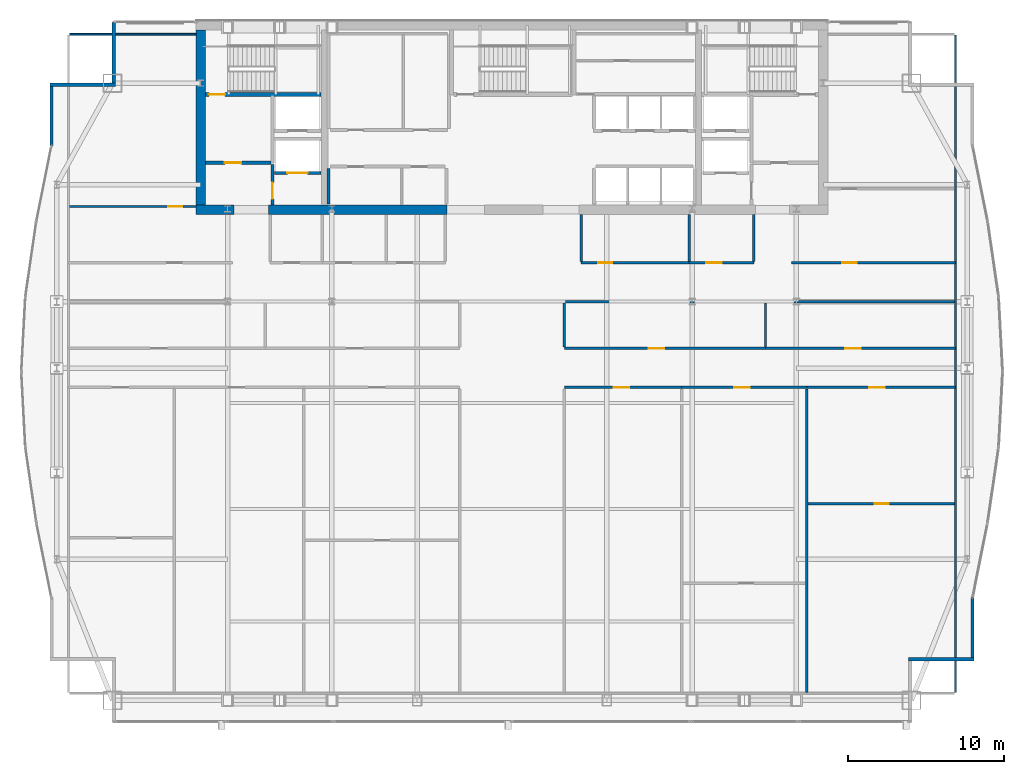
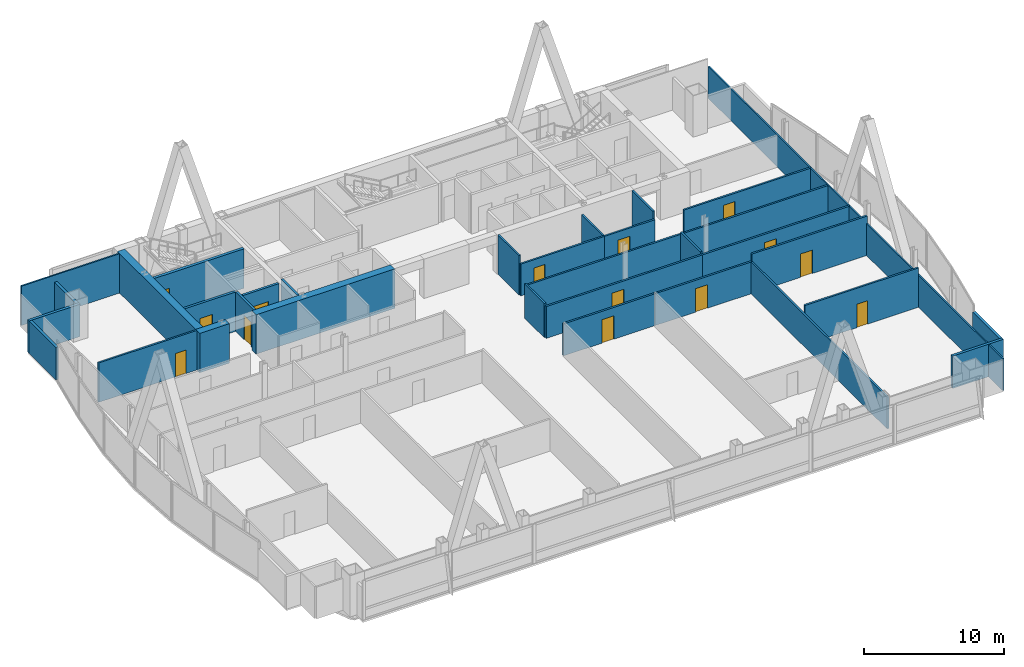
# One storey, part 28 of 32: 32 walls, 14 doors, 14 openings.
"""IFC4 building model written with IfcOpenShell, lengths in metres."""

from ifc_helpers import new_model, si_unit, direction, frame, frame_2d, origin, place, context, subcontext, project, spatial, rectangle, extrude, material, layer, layer_set, type_object, element, fill, save


model = new_model("IFC4")

# Units and contexts
model_context = context("Model", 3, precision=1e-05, world=origin(), true_north=direction((0.0, 1.0)))
body_context = subcontext(model_context, "Body", "Model", "MODEL_VIEW")
ifc_project = project(units=[si_unit("LENGTHUNIT", "METRE"), si_unit("AREAUNIT", "SQUARE_METRE"), si_unit("VOLUMEUNIT", "CUBIC_METRE"), si_unit("PLANEANGLEUNIT", "RADIAN"), si_unit("MASSUNIT", "GRAM", prefix="KILO")], contexts=[model_context])

# Site, building, storey
site_placement = place(None, origin())
site = spatial("IfcSite", under=ifc_project, at=site_placement, CompositionType="ELEMENT")
building_placement = place(site_placement, origin())
building = spatial("IfcBuilding", under=site, at=building_placement, Name="Khoronbel Lancet Exchange", CompositionType="ELEMENT")
storey_placement = place(building_placement, frame((0.0, 0.0, 221.0)))
storey = spatial("IfcBuildingStorey", under=building, at=storey_placement, Name="L56", CompositionType="ELEMENT", Elevation=221.0)

# Walls
ifc_material_1 = material(Name="Concrete C60/75", Category="concrete")
ifc_layer_1 = layer(ifc_material_1, 0.60009765625, Name="Concrete C60/75")
ifc_layer_set_1 = layer_set([ifc_layer_1], Name="Concrete C60/75")
wall_type_1 = type_object("IfcWallType", Name="WL-CW3", PredefinedType="SHEAR", material=ifc_layer_set_1)
wall_1_placement = place(storey_placement, frame((16.5, 41.89990234375, 0.0), z_axis=(0.0, 0.0, 1.0), x_axis=(0.0, 1.0, 0.0)))
element("IfcWall", 1, at=wall_1_placement, inside=storey, type_object=wall_type_1, Name="Level L56 rear core west shear wall", PredefinedType="SHEAR", context=body_context, shape_type="SweptSolid", body=[
    extrude(rectangle(XDim=11.2001953125, YDim=0.60009765625, at=frame_2d((5.60009765625, 0.0))), origin(), (0.0, 0.0, 1.0), 3.43994140625),
])
wall_2_placement = place(storey_placement, frame((18.64990234375, 41.60009765625, 0.0), z_axis=(0.0, 0.0, 1.0), x_axis=(-1.0, 0.0, 0.0)))
element("IfcWall", 2, at=wall_2_placement, inside=storey, type_object=wall_type_1, Name="Level L56 rear core south shear wall pier P1", PredefinedType="SHEAR", context=body_context, shape_type="SweptSolid", body=[
    extrude(rectangle(XDim=2.449951171875, YDim=0.60009765625, at=frame_2d((1.22509765625, 0.0))), origin(), (0.0, 0.0, 1.0), 3.43994140625),
])
wall_3_placement = place(storey_placement, frame((32.300048828125, 41.60009765625, 0.0), z_axis=(0.0, 0.0, 1.0), x_axis=(-1.0, 0.0, 0.0)))
element("IfcWall", 3, at=wall_3_placement, inside=storey, type_object=wall_type_1, Name="Level L56 rear core south shear wall pier P2", PredefinedType="SHEAR", context=body_context, shape_type="SweptSolid", body=[
    extrude(rectangle(XDim=11.449951171875, YDim=0.60009765625, at=frame_2d((5.72509765625, 0.0))), origin(), (0.0, 0.0, 1.0), 3.43994140625),
])
ifc_material_2 = material(Name="Precast concrete C40/50", Category="concrete")
ifc_layer_2 = layer(ifc_material_2, 0.25, Name="Precast concrete C40/50")
ifc_layer_set_2 = layer_set([ifc_layer_2], Name="Precast concrete C40/50")
wall_type_2 = type_object("IfcWallType", Name="WL-EXT250", PredefinedType="SOLIDWALL", material=ifc_layer_set_2)
wall_4_placement = place(storey_placement, frame((6.93994140625, 45.671142578125, 0.0), z_axis=(0.0, 0.0, 1.0), x_axis=(0.0, 1.0, 0.0)))
element("IfcWall", 4, at=wall_4_placement, inside=storey, type_object=wall_type_2, Name="Level L56 notched-corner limestone pier 10", PredefinedType="SOLIDWALL", context=body_context, shape_type="SweptSolid", body=[
    extrude(rectangle(XDim=3.828857421875, YDim=0.219970703125, at=frame_2d((1.91455078125, 0.0))), origin(), (0.0, 0.0, 1.0), 2.830078125),
])
wall_5_placement = place(storey_placement, frame((6.830078125, 49.610107421875, 0.0), z_axis=(0.0, 0.0, 1.0), x_axis=(1.0, 0.0, 0.0)))
element("IfcWall", 5, at=wall_5_placement, inside=storey, type_object=wall_type_2, Name="Level L56 notched-corner limestone pier 11", PredefinedType="SOLIDWALL", context=body_context, shape_type="SweptSolid", body=[
    extrude(rectangle(XDim=4.219970703125, YDim=0.219970703125, at=frame_2d((2.10986328125, 0.0))), origin(), (0.0, 0.0, 1.0), 2.830078125),
])
wall_6_placement = place(storey_placement, frame((10.93994140625, 49.719970703125, 0.0), z_axis=(0.0, 0.0, 1.0), x_axis=(0.0, 1.0, 0.0)))
element("IfcWall", 6, at=wall_6_placement, inside=storey, type_object=wall_type_2, Name="Level L56 notched-corner limestone pier 12", PredefinedType="SOLIDWALL", context=body_context, shape_type="SweptSolid", body=[
    extrude(rectangle(XDim=3.909912109375, YDim=0.219970703125, at=frame_2d((1.955078125, 0.0))), origin(), (0.0, 0.0, 1.0), 2.830078125),
])
wall_7_placement = place(storey_placement, frame((65.9599609375, 16.72900390625, 0.0), z_axis=(0.0, 0.0, 1.0), x_axis=(0.0, -1.0, 0.0)))
element("IfcWall", 7, at=wall_7_placement, inside=storey, type_object=wall_type_2, Name="Level L56 notched-corner limestone pier 23", PredefinedType="SOLIDWALL", context=body_context, shape_type="SweptSolid", body=[
    extrude(rectangle(XDim=3.8291015625, YDim=0.219970703125, at=frame_2d((1.91455078125, 0.0))), origin(), (0.0, 0.0, 1.0), 2.830078125),
])
wall_8_placement = place(storey_placement, frame((66.070068359375, 12.7900390625, 0.0), z_axis=(0.0, 0.0, 1.0), x_axis=(-1.0, 0.0, 0.0)))
element("IfcWall", 8, at=wall_8_placement, inside=storey, type_object=wall_type_2, Name="Level L56 notched-corner limestone pier 24", PredefinedType="SOLIDWALL", context=body_context, shape_type="SweptSolid", body=[
    extrude(rectangle(XDim=4.219970703125, YDim=0.219970703125, at=frame_2d((2.10986328125, 0.0))), origin(), (0.0, 0.0, 1.0), 2.830078125),
])
ifc_material_3 = material(Name="Acoustic Metal-Stud & Mineral-Wool Gypsum Partition 120 mm", Category="gypsum")
ifc_layer_3 = layer(ifc_material_3, 0.1201171875, Name="Acoustic Metal-Stud & Mineral-Wool Gypsum Partition 120 mm")
ifc_layer_set_3 = layer_set([ifc_layer_3], Name="Acoustic Metal-Stud & Mineral-Wool Gypsum Partition 120 mm")
wall_type_3 = type_object("IfcWallType", Name="WL-PRT120", PredefinedType="PARTITIONING", material=ifc_layer_set_3)
wall_9_placement = place(storey_placement, frame((40.8798828125, 38.280029296875, 0.0), z_axis=(0.0, 0.0, 1.0), x_axis=(0.0, 1.0, 0.0)))
element("IfcWall", 9, at=wall_9_placement, inside=storey, type_object=wall_type_3, Name="Level L56 interior partition PW-NP-0", PredefinedType="PARTITIONING", context=body_context, shape_type="SweptSolid", body=[
    extrude(rectangle(XDim=3.02001953125, YDim=0.14990234375, at=frame_2d((1.510009765625, 0.0))), origin(), (0.0, 0.0, 1.0), 3.43994140625),
])
wall_10_placement = place(storey_placement, frame((47.800048828125, 38.280029296875, 0.0), z_axis=(0.0, 0.0, 1.0), x_axis=(0.0, 1.0, 0.0)))
element("IfcWall", 10, at=wall_10_placement, inside=storey, type_object=wall_type_3, Name="Level L56 interior partition PW-NP-M", PredefinedType="PARTITIONING", context=body_context, shape_type="SweptSolid", body=[
    extrude(rectangle(XDim=3.02001953125, YDim=0.14990234375, at=frame_2d((1.510009765625, 0.0))), origin(), (0.0, 0.0, 1.0), 2.780029296875),
])
wall_11_placement = place(storey_placement, frame((51.949951171875, 38.280029296875, 0.0), z_axis=(0.0, 0.0, 1.0), x_axis=(0.0, 1.0, 0.0)))
element("IfcWall", 11, at=wall_11_placement, inside=storey, type_object=wall_type_3, Name="Level L56 interior partition PW-NP-1", PredefinedType="PARTITIONING", context=body_context, shape_type="SweptSolid", body=[
    extrude(rectangle(XDim=3.02001953125, YDim=0.14990234375, at=frame_2d((1.510009765625, 0.0))), origin(), (0.0, 0.0, 1.0), 3.43994140625),
])

# Wall, opening, door
wall_12_placement = place(storey_placement, frame((8.094970703125, 41.800048828125, 0.0), z_axis=(0.0, 0.0, 1.0), x_axis=(1.0, 0.0, 0.0)))
wall_12 = element("IfcWall", 12, at=wall_12_placement, inside=storey, type_object=wall_type_3, Name="Level L56 interior partition PW-NW-H", PredefinedType="PARTITIONING", context=body_context, shape_type="SweptSolid", body=[
    extrude(rectangle(XDim=8.10498046875, YDim=0.14990234375, at=frame_2d((4.052490234375, 0.0))), origin(), (0.0, 0.0, 1.0), 3.43994140625),
])
opening_1_placement = place(wall_12_placement, frame((6.320068359375, 0.0, 0.0)))
opening_1 = element("IfcOpeningElement", 13, at=opening_1_placement, cuts=wall_12, Name="Opening D5", PredefinedType="OPENING", context=body_context, shape_type="SweptSolid", body=[
    extrude(rectangle(XDim=0.89990234375, YDim=2.050048828125, at=frame_2d((0.449951171875, 1.02490234375))), frame((0.0, 0.0849609375, 0.0), z_axis=(0.0, -1.0, 0.0), x_axis=(1.0, 0.0, 0.0)), (0.0, 0.0, 1.0), 0.169921875),
])
ifc_material_4 = material(Name="Acoustic Timber Pantry & Support Door", Category="wood")
door_type_1 = type_object("IfcDoorType", Name="DR-D5", OperationType="NOTDEFINED", PredefinedType="DOOR", material=ifc_material_4)
door_1_placement = place(opening_1_placement, origin())
door_1 = element("IfcDoor", 14, at=door_1_placement, inside=storey, type_object=door_type_1, Name="NW north room door L56-1", OperationType="SINGLE_SWING_RIGHT", OverallHeight=2.050048828125, OverallWidth=0.89990234375, PredefinedType="DOOR", context=body_context, shape_type="SweptSolid", body=[
    extrude(rectangle(XDim=0.89990234375, YDim=2.050048828125, at=frame_2d((0.449951171875, 1.02490234375))), frame((0.0, 0.02490234375, 0.0), z_axis=(0.0, -1.0, 0.0), x_axis=(1.0, 0.0, 0.0)), (0.0, 0.0, 1.0), 0.050048828125),
])
fill(opening_1, door_1)

wall_13_placement = place(storey_placement, frame((55.42333984375, 22.751953125, 0.0), z_axis=(0.0, 0.0, 1.0), x_axis=(1.0, 0.0, 0.0)))
wall_13 = element("IfcWall", 15, at=wall_13_placement, inside=storey, type_object=wall_type_3, Name="Level L56 interior partition PW-Z3SE-H3", PredefinedType="PARTITIONING", context=body_context, shape_type="SweptSolid", body=[
    extrude(rectangle(XDim=9.381591796875, YDim=0.14990234375, at=frame_2d((4.69091796875, 0.0))), origin(), (0.0, 0.0, 1.0), 3.43994140625),
])
opening_2_placement = place(wall_13_placement, frame((4.287109375, 0.0, 0.0)))
opening_2 = element("IfcOpeningElement", 16, at=opening_2_placement, cuts=wall_13, Name="Opening D5", PredefinedType="OPENING", context=body_context, shape_type="SweptSolid", body=[
    extrude(rectangle(XDim=0.89990234375, YDim=2.050048828125, at=frame_2d((0.449951171875, 1.02490234375))), frame((0.0, 0.0849609375, 0.0), z_axis=(0.0, -1.0, 0.0), x_axis=(1.0, 0.0, 0.0)), (0.0, 0.0, 1.0), 0.169921875),
])
door_2_placement = place(opening_2_placement, origin())
door_2 = element("IfcDoor", 17, at=door_2_placement, inside=storey, type_object=door_type_1, Name="Z3SE inner door 3 L56-1", OperationType="SINGLE_SWING_LEFT", OverallHeight=2.050048828125, OverallWidth=0.89990234375, PredefinedType="DOOR", context=body_context, shape_type="SweptSolid", body=[
    extrude(rectangle(XDim=0.89990234375, YDim=2.050048828125, at=frame_2d((0.449951171875, 1.02490234375))), frame((0.0, 0.02490234375, 0.0), z_axis=(0.0, -1.0, 0.0), x_axis=(1.0, 0.0, 0.0)), (0.0, 0.0, 1.0), 0.050048828125),
])
fill(opening_2, door_2)

# Walls
wall_14_placement = place(storey_placement, frame((64.8701171875, 10.6650390625, 0.0), z_axis=(0.0, 0.0, 1.0), x_axis=(0.0, 1.0, 0.0)))
element("IfcWall", 18, at=wall_14_placement, inside=storey, type_object=wall_type_3, Name="Level L56 interior partition PW-LIN-E", PredefinedType="PARTITIONING", context=body_context, shape_type="SweptSolid", body=[
    extrude(rectangle(XDim=42.10986328125, YDim=0.1201171875, at=frame_2d((21.054931640625, 0.0))), origin(), (0.0, 0.0, 1.0), 2.780029296875),
])
wall_15_placement = place(storey_placement, frame((8.094970703125, 52.840087890625, 0.0), z_axis=(0.0, 0.0, 1.0), x_axis=(1.0, 0.0, 0.0)))
element("IfcWall", 19, at=wall_15_placement, inside=storey, type_object=wall_type_3, Name="Level L56 interior partition PW-LIN-NW", PredefinedType="PARTITIONING", context=body_context, shape_type="SweptSolid", body=[
    extrude(rectangle(XDim=8.10498046875, YDim=0.1201171875, at=frame_2d((4.052490234375, 0.0))), origin(), (0.0, 0.0, 1.0), 3.43994140625),
])

# Wall, opening, door
ifc_material_5 = material(Name="Fire-Rated Twin-Stud Acoustic Gypsum Partition 150 mm", Category="gypsum")
ifc_layer_4 = layer(ifc_material_5, 0.14990234375, Name="Fire-Rated Twin-Stud Acoustic Gypsum Partition 150 mm")
ifc_layer_set_4 = layer_set([ifc_layer_4], Name="Fire-Rated Twin-Stud Acoustic Gypsum Partition 150 mm")
wall_type_4 = type_object("IfcWallType", Name="WL-PRT150C", PredefinedType="PARTITIONING", material=ifc_layer_set_4)
wall_16_placement = place(storey_placement, frame((40.8798828125, 38.199951171875, 0.0), z_axis=(0.0, 0.0, 1.0), x_axis=(1.0, 0.0, 0.0)))
wall_16 = element("IfcWall", 20, at=wall_16_placement, inside=storey, type_object=wall_type_4, Name="Level L56 interior partition PW-NP-S1", PredefinedType="PARTITIONING", context=body_context, shape_type="SweptSolid", body=[
    extrude(rectangle(XDim=6.920166015625, YDim=0.14990234375, at=frame_2d((3.4599609375, 0.0))), origin(), (0.0, 0.0, 1.0), 2.780029296875),
])
opening_3_placement = place(wall_16_placement, frame((1.10009765625, 0.0, 0.0)))
opening_3 = element("IfcOpeningElement", 21, at=opening_3_placement, cuts=wall_16, Name="Opening D5", PredefinedType="OPENING", context=body_context, shape_type="SweptSolid", body=[
    extrude(rectangle(XDim=0.89990234375, YDim=2.050048828125, at=frame_2d((0.449951171875, 1.02490234375))), frame((0.0, 0.0849609375, 0.0), z_axis=(0.0, -1.0, 0.0), x_axis=(1.0, 0.0, 0.0)), (0.0, 0.0, 1.0), 0.169921875),
])
door_3_placement = place(opening_3_placement, origin())
door_3 = element("IfcDoor", 22, at=door_3_placement, inside=storey, type_object=door_type_1, Name="Floor refreshment pantry door L56-1", OperationType="SINGLE_SWING_RIGHT", OverallHeight=2.050048828125, OverallWidth=0.89990234375, PredefinedType="DOOR", context=body_context, shape_type="SweptSolid", body=[
    extrude(rectangle(XDim=0.89990234375, YDim=2.050048828125, at=frame_2d((0.449951171875, 1.02490234375))), frame((0.0, 0.02490234375, 0.0), z_axis=(0.0, -1.0, 0.0), x_axis=(1.0, 0.0, 0.0)), (0.0, 0.0, 1.0), 0.050048828125),
])
fill(opening_3, door_3)

wall_17_placement = place(storey_placement, frame((47.800048828125, 38.199951171875, 0.0), z_axis=(0.0, 0.0, 1.0), x_axis=(1.0, 0.0, 0.0)))
wall_17 = element("IfcWall", 23, at=wall_17_placement, inside=storey, type_object=wall_type_4, Name="Level L56 interior partition PW-NP-S2", PredefinedType="PARTITIONING", context=body_context, shape_type="SweptSolid", body=[
    extrude(rectangle(XDim=4.14990234375, YDim=0.14990234375, at=frame_2d((2.074951171875, 0.0))), origin(), (0.0, 0.0, 1.0), 2.780029296875),
])
opening_4_placement = place(wall_17_placement, frame((1.10009765625, 0.0, 0.0)))
opening_4 = element("IfcOpeningElement", 24, at=opening_4_placement, cuts=wall_17, Name="Opening D2", PredefinedType="OPENING", context=body_context, shape_type="SweptSolid", body=[
    extrude(rectangle(XDim=1.0, YDim=2.050048828125, at=frame_2d((0.5, 1.02490234375))), frame((0.0, 0.0849609375, 0.0), z_axis=(0.0, -1.0, 0.0), x_axis=(1.0, 0.0, 0.0)), (0.0, 0.0, 1.0), 0.169921875),
])
ifc_material_6 = material(Name="Acoustic Veneered Timber & Bronze Frame Door", Category="wood")
door_type_2 = type_object("IfcDoorType", Name="DR-D2", OperationType="NOTDEFINED", PredefinedType="DOOR", material=ifc_material_6)
door_4_placement = place(opening_4_placement, origin())
door_4 = element("IfcDoor", 25, at=door_4_placement, inside=storey, type_object=door_type_2, Name="Floor store door L56-1", OperationType="SINGLE_SWING_LEFT", OverallHeight=2.050048828125, OverallWidth=1.0, PredefinedType="DOOR", context=body_context, shape_type="SweptSolid", body=[
    extrude(rectangle(XDim=1.0, YDim=2.050048828125, at=frame_2d((0.5, 1.02490234375))), frame((0.0, 0.02490234375, 0.0), z_axis=(0.0, -1.0, 0.0), x_axis=(1.0, 0.0, 0.0)), (0.0, 0.0, 1.0), 0.050048828125),
])
fill(opening_4, door_4)

wall_18_placement = place(storey_placement, frame((54.35009765625, 38.199951171875, 0.0), z_axis=(0.0, 0.0, 1.0), x_axis=(1.0, 0.0, 0.0)))
wall_18 = element("IfcWall", 26, at=wall_18_placement, inside=storey, type_object=wall_type_4, Name="Level L56 interior partition PW-NE-S", PredefinedType="PARTITIONING", context=body_context, shape_type="SweptSolid", body=[
    extrude(rectangle(XDim=10.52001953125, YDim=0.14990234375, at=frame_2d((5.260009765625, 0.0))), origin(), (0.0, 0.0, 1.0), 2.780029296875),
])
opening_5_placement = place(wall_18_placement, frame((3.25, 0.0, 0.0)))
opening_5 = element("IfcOpeningElement", 27, at=opening_5_placement, cuts=wall_18, Name="Opening D1", PredefinedType="OPENING", context=body_context, shape_type="SweptSolid", body=[
    extrude(rectangle(XDim=0.949951171875, YDim=2.050048828125, at=frame_2d((0.47509765625, 1.02490234375))), frame((0.0, 0.0849609375, 0.0), z_axis=(0.0, -1.0, 0.0), x_axis=(1.0, 0.0, 0.0)), (0.0, 0.0, 1.0), 0.169921875),
])
door_type_3 = type_object("IfcDoorType", Name="DR-D1", OperationType="NOTDEFINED", PredefinedType="DOOR", material=ifc_material_6)
door_5_placement = place(opening_5_placement, origin())
door_5 = element("IfcDoor", 28, at=door_5_placement, inside=storey, type_object=door_type_3, Name="NE corner room door L56-1", OperationType="SINGLE_SWING_LEFT", OverallHeight=2.050048828125, OverallWidth=0.949951171875, PredefinedType="DOOR", context=body_context, shape_type="SweptSolid", body=[
    extrude(rectangle(XDim=0.949951171875, YDim=2.050048828125, at=frame_2d((0.47509765625, 1.02490234375))), frame((0.0, 0.02490234375, 0.0), z_axis=(0.0, -1.0, 0.0), x_axis=(1.0, 0.0, 0.0)), (0.0, 0.0, 1.0), 0.050048828125),
])
fill(opening_5, door_5)

# Walls
wall_19_placement = place(storey_placement, frame((39.800048828125, 32.784912109375, 0.0), z_axis=(0.0, 0.0, 1.0), x_axis=(0.0, 1.0, 0.0)))
element("IfcWall", 29, at=wall_19_placement, inside=storey, type_object=wall_type_4, Name="Level L56 interior partition PW-Z3-CE2", PredefinedType="PARTITIONING", context=body_context, shape_type="SweptSolid", body=[
    extrude(rectangle(XDim=2.835205078125, YDim=0.14990234375, at=frame_2d((1.41748046875, 0.0))), origin(), (0.0, 0.0, 1.0), 2.97998046875),
])
wall_20_placement = place(storey_placement, frame((39.8798828125, 35.699951171875, 0.0), z_axis=(0.0, 0.0, 1.0), x_axis=(1.0, 0.0, 0.0)))
element("IfcWall", 30, at=wall_20_placement, inside=storey, type_object=wall_type_4, Name="Level L56 interior partition PW-Z3-EN", PredefinedType="PARTITIONING", context=body_context, shape_type="SweptSolid", body=[
    extrude(rectangle(XDim=24.925048828125, YDim=0.14990234375, at=frame_2d((12.46240234375, 0.0))), origin(), (0.0, 0.0, 1.0), 2.780029296875),
])
wall_21_placement = place(storey_placement, frame((55.343505859375, 10.6650390625, 0.0), z_axis=(0.0, 0.0, 1.0), x_axis=(0.0, 1.0, 0.0)))
element("IfcWall", 31, at=wall_21_placement, inside=storey, type_object=wall_type_4, Name="Level L56 interior partition PW-Z3SE-V2", PredefinedType="PARTITIONING", context=body_context, shape_type="SweptSolid", body=[
    extrude(rectangle(XDim=19.449951171875, YDim=0.14990234375, at=frame_2d((9.72509765625, 0.0))), origin(), (0.0, 0.0, 1.0), 2.780029296875),
])
wall_22_placement = place(storey_placement, frame((52.693115234375, 32.784912109375, 0.0), z_axis=(0.0, 0.0, 1.0), x_axis=(0.0, 1.0, 0.0)))
element("IfcWall", 32, at=wall_22_placement, inside=storey, type_object=wall_type_4, Name="Level L56 interior partition PW-Z3NE-V1", PredefinedType="PARTITIONING", context=body_context, shape_type="SweptSolid", body=[
    extrude(rectangle(XDim=2.835205078125, YDim=0.14990234375, at=frame_2d((1.41748046875, 0.0))), origin(), (0.0, 0.0, 1.0), 2.97998046875),
])

# Wall, opening, door
ifc_material_7 = material(Name="Fire-Rated Twin-Stud Acoustic Gypsum Partition 160 mm", Category="gypsum")
ifc_layer_5 = layer(ifc_material_7, 0.159912109375, Name="Fire-Rated Twin-Stud Acoustic Gypsum Partition 160 mm")
ifc_layer_set_5 = layer_set([ifc_layer_5], Name="Fire-Rated Twin-Stud Acoustic Gypsum Partition 160 mm")
wall_type_5 = type_object("IfcWallType", Name="WL-PRT160C", PredefinedType="PARTITIONING", material=ifc_layer_set_5)
wall_23_placement = place(storey_placement, frame((39.800048828125, 30.199951171875, 0.0), z_axis=(0.0, 0.0, 1.0), x_axis=(1.0, 0.0, 0.0)))
wall_23 = element("IfcWall", 33, at=wall_23_placement, inside=storey, type_object=wall_type_5, Name="Level L56 interior partition PW-Z3SE-COR1", PredefinedType="PARTITIONING", context=body_context, shape_type="SweptSolid", body=[
    extrude(rectangle(XDim=7.52099609375, YDim=0.159912109375, at=frame_2d((3.760498046875, 0.0))), origin(), (0.0, 0.0, 1.0), 2.780029296875),
])
opening_6_placement = place(wall_23_placement, frame((3.15869140625, 0.0, 0.0)))
opening_6 = element("IfcOpeningElement", 34, at=opening_6_placement, cuts=wall_23, Name="Opening D2", PredefinedType="OPENING", context=body_context, shape_type="SweptSolid", body=[
    extrude(rectangle(XDim=1.0, YDim=2.050048828125, at=frame_2d((0.5, 1.02490234375))), frame((0.0, 0.08984375, 0.0), z_axis=(0.0, -1.0, 0.0), x_axis=(1.0, 0.0, 0.0)), (0.0, 0.0, 1.0), 0.179931640625),
])
door_6_placement = place(opening_6_placement, origin())
door_6 = element("IfcDoor", 35, at=door_6_placement, inside=storey, type_object=door_type_2, Name="Z3SE bay 1 door L56-1", OperationType="SINGLE_SWING_LEFT", OverallHeight=2.050048828125, OverallWidth=1.0, PredefinedType="DOOR", context=body_context, shape_type="SweptSolid", body=[
    extrude(rectangle(XDim=1.0, YDim=2.050048828125, at=frame_2d((0.5, 1.02490234375))), frame((0.0, 0.02490234375, 0.0), z_axis=(0.0, -1.0, 0.0), x_axis=(1.0, 0.0, 0.0)), (0.0, 0.0, 1.0), 0.050048828125),
])
fill(opening_6, door_6)

wall_24_placement = place(storey_placement, frame((47.321044921875, 30.199951171875, 0.0), z_axis=(0.0, 0.0, 1.0), x_axis=(1.0, 0.0, 0.0)))
wall_24 = element("IfcWall", 36, at=wall_24_placement, inside=storey, type_object=wall_type_5, Name="Level L56 interior partition PW-Z3SE-COR2", PredefinedType="PARTITIONING", context=body_context, shape_type="SweptSolid", body=[
    extrude(rectangle(XDim=8.0224609375, YDim=0.159912109375, at=frame_2d((4.01123046875, 0.0))), origin(), (0.0, 0.0, 1.0), 2.780029296875),
])
opening_7_placement = place(wall_24_placement, frame((3.369384765625, 0.0, 0.0)))
opening_7 = element("IfcOpeningElement", 37, at=opening_7_placement, cuts=wall_24, Name="Opening D2", PredefinedType="OPENING", context=body_context, shape_type="SweptSolid", body=[
    extrude(rectangle(XDim=1.0, YDim=2.050048828125, at=frame_2d((0.5, 1.02490234375))), frame((0.0, 0.08984375, 0.0), z_axis=(0.0, -1.0, 0.0), x_axis=(1.0, 0.0, 0.0)), (0.0, 0.0, 1.0), 0.179931640625),
])
door_7_placement = place(opening_7_placement, origin())
door_7 = element("IfcDoor", 38, at=door_7_placement, inside=storey, type_object=door_type_2, Name="Z3SE bay 2 door L56-1", OperationType="SINGLE_SWING_RIGHT", OverallHeight=2.050048828125, OverallWidth=1.0, PredefinedType="DOOR", context=body_context, shape_type="SweptSolid", body=[
    extrude(rectangle(XDim=1.0, YDim=2.050048828125, at=frame_2d((0.5, 1.02490234375))), frame((0.0, 0.02490234375, 0.0), z_axis=(0.0, -1.0, 0.0), x_axis=(1.0, 0.0, 0.0)), (0.0, 0.0, 1.0), 0.050048828125),
])
fill(opening_7, door_7)

wall_25_placement = place(storey_placement, frame((55.343505859375, 30.199951171875, 0.0), z_axis=(0.0, 0.0, 1.0), x_axis=(1.0, 0.0, 0.0)))
wall_25 = element("IfcWall", 39, at=wall_25_placement, inside=storey, type_object=wall_type_5, Name="Level L56 interior partition PW-Z3SE-COR3", PredefinedType="PARTITIONING", context=body_context, shape_type="SweptSolid", body=[
    extrude(rectangle(XDim=9.526611328125, YDim=0.159912109375, at=frame_2d((4.76318359375, 0.0))), origin(), (0.0, 0.0, 1.0), 3.43994140625),
])
opening_8_placement = place(wall_25_placement, frame((4.001220703125, 0.0, 0.0)))
opening_8 = element("IfcOpeningElement", 40, at=opening_8_placement, cuts=wall_25, Name="Opening D2", PredefinedType="OPENING", context=body_context, shape_type="SweptSolid", body=[
    extrude(rectangle(XDim=1.0, YDim=2.050048828125, at=frame_2d((0.5, 1.02490234375))), frame((0.0, 0.08984375, 0.0), z_axis=(0.0, -1.0, 0.0), x_axis=(1.0, 0.0, 0.0)), (0.0, 0.0, 1.0), 0.179931640625),
])
door_8_placement = place(opening_8_placement, origin())
door_8 = element("IfcDoor", 41, at=door_8_placement, inside=storey, type_object=door_type_2, Name="Z3SE bay 3 door L56-1", OperationType="SINGLE_SWING_RIGHT", OverallHeight=2.050048828125, OverallWidth=1.0, PredefinedType="DOOR", context=body_context, shape_type="SweptSolid", body=[
    extrude(rectangle(XDim=1.0, YDim=2.050048828125, at=frame_2d((0.5, 1.02490234375))), frame((0.0, 0.02490234375, 0.0), z_axis=(0.0, -1.0, 0.0), x_axis=(1.0, 0.0, 0.0)), (0.0, 0.0, 1.0), 0.050048828125),
])
fill(opening_8, door_8)

wall_26_placement = place(storey_placement, frame((39.800048828125, 32.699951171875, 0.0), z_axis=(0.0, 0.0, 1.0), x_axis=(1.0, 0.0, 0.0)))
wall_26 = element("IfcWall", 42, at=wall_26_placement, inside=storey, type_object=wall_type_5, Name="Level L56 interior partition PW-Z3NE-COR1", PredefinedType="PARTITIONING", context=body_context, shape_type="SweptSolid", body=[
    extrude(rectangle(XDim=12.89306640625, YDim=0.159912109375, at=frame_2d((6.446533203125, 0.0))), origin(), (0.0, 0.0, 1.0), 2.780029296875),
])
opening_9_placement = place(wall_26_placement, frame((5.4150390625, 0.0, 0.0)))
opening_9 = element("IfcOpeningElement", 43, at=opening_9_placement, cuts=wall_26, Name="Opening D2", PredefinedType="OPENING", context=body_context, shape_type="SweptSolid", body=[
    extrude(rectangle(XDim=1.0, YDim=2.050048828125, at=frame_2d((0.5, 1.02490234375))), frame((0.0, 0.08984375, 0.0), z_axis=(0.0, -1.0, 0.0), x_axis=(1.0, 0.0, 0.0)), (0.0, 0.0, 1.0), 0.179931640625),
])
door_9_placement = place(opening_9_placement, origin())
door_9 = element("IfcDoor", 44, at=door_9_placement, inside=storey, type_object=door_type_2, Name="Z3NE bay 1 door L56-1", OperationType="SINGLE_SWING_RIGHT", OverallHeight=2.050048828125, OverallWidth=1.0, PredefinedType="DOOR", context=body_context, shape_type="SweptSolid", body=[
    extrude(rectangle(XDim=1.0, YDim=2.050048828125, at=frame_2d((0.5, 1.02490234375))), frame((0.0, 0.02490234375, 0.0), z_axis=(0.0, -1.0, 0.0), x_axis=(1.0, 0.0, 0.0)), (0.0, 0.0, 1.0), 0.050048828125),
])
fill(opening_9, door_9)

wall_27_placement = place(storey_placement, frame((52.693115234375, 32.699951171875, 0.0), z_axis=(0.0, 0.0, 1.0), x_axis=(1.0, 0.0, 0.0)))
wall_27 = element("IfcWall", 45, at=wall_27_placement, inside=storey, type_object=wall_type_5, Name="Level L56 interior partition PW-Z3NE-COR2", PredefinedType="PARTITIONING", context=body_context, shape_type="SweptSolid", body=[
    extrude(rectangle(XDim=12.177001953125, YDim=0.159912109375, at=frame_2d((6.08837890625, 0.0))), origin(), (0.0, 0.0, 1.0), 2.780029296875),
])
opening_10_placement = place(wall_27_placement, frame((5.1142578125, 0.0, 0.0)))
opening_10 = element("IfcOpeningElement", 46, at=opening_10_placement, cuts=wall_27, Name="Opening D2", PredefinedType="OPENING", context=body_context, shape_type="SweptSolid", body=[
    extrude(rectangle(XDim=1.0, YDim=2.050048828125, at=frame_2d((0.5, 1.02490234375))), frame((0.0, 0.08984375, 0.0), z_axis=(0.0, -1.0, 0.0), x_axis=(1.0, 0.0, 0.0)), (0.0, 0.0, 1.0), 0.179931640625),
])
door_10_placement = place(opening_10_placement, origin())
door_10 = element("IfcDoor", 47, at=door_10_placement, inside=storey, type_object=door_type_2, Name="Z3NE bay 2 door L56-1", OperationType="SINGLE_SWING_LEFT", OverallHeight=2.050048828125, OverallWidth=1.0, PredefinedType="DOOR", context=body_context, shape_type="SweptSolid", body=[
    extrude(rectangle(XDim=1.0, YDim=2.050048828125, at=frame_2d((0.5, 1.02490234375))), frame((0.0, 0.02490234375, 0.0), z_axis=(0.0, -1.0, 0.0), x_axis=(1.0, 0.0, 0.0)), (0.0, 0.0, 1.0), 0.050048828125),
])
fill(opening_10, door_10)

ifc_material_8 = material(Name="Autoclaved Aerated Concrete Blockwork 200 mm", Category="masonry")
ifc_layer_6 = layer(ifc_material_8, 0.199951171875, Name="Autoclaved Aerated Concrete Blockwork 200 mm")
ifc_layer_set_6 = layer_set([ifc_layer_6], Name="Autoclaved Aerated Concrete Blockwork 200 mm")
wall_type_6 = type_object("IfcWallType", Name="WL-PRT200", PredefinedType="PARTITIONING", material=ifc_layer_set_6)
wall_28_placement = place(storey_placement, frame((24.2099609375, 43.949951171875, 0.0), z_axis=(0.0, 0.0, 1.0), x_axis=(-1.0, 0.0, 0.0)))
wall_28 = element("IfcWall", 48, at=wall_28_placement, inside=storey, type_object=wall_type_6, Name="Level L56 elevator hoistway landing front wall SVLW", PredefinedType="PARTITIONING", context=body_context, shape_type="SweptSolid", body=[
    extrude(rectangle(XDim=2.969970703125, YDim=0.199951171875, at=frame_2d((1.48486328125, 0.0))), origin(), (0.0, 0.0, 1.0), 3.43994140625),
])
opening_11_placement = place(wall_28_placement, frame((0.860107421875, 0.0, 0.0)))
opening_11 = element("IfcOpeningElement", 49, at=opening_11_placement, cuts=wall_28, Name="Opening LD-SVL1", PredefinedType="OPENING", context=body_context, shape_type="SweptSolid", body=[
    extrude(rectangle(XDim=1.300048828125, YDim=2.179931640625, at=frame_2d((0.64990234375, 1.08984375))), frame((0.0, 0.10986328125, 0.0), z_axis=(0.0, -1.0, 0.0), x_axis=(1.0, 0.0, 0.0)), (0.0, 0.0, 1.0), 0.219970703125),
])
ifc_material_9 = material(Name="Heavy-Duty Bi-Parting Goods Lift Landing Door", Category="steel")
door_type_4 = type_object("IfcDoorType", Name="DR-LD-SVL", OperationType="NOTDEFINED", PredefinedType="DOOR", material=ifc_material_9)
door_11_placement = place(opening_11_placement, origin())
door_11 = element("IfcDoor", 50, at=door_11_placement, inside=storey, type_object=door_type_4, Name="Elevator landing sliding door LD-SVL1 L56", OperationType="SLIDING_TO_LEFT", OverallHeight=2.179931640625, OverallWidth=1.300048828125, PredefinedType="DOOR", context=body_context, shape_type="SweptSolid", body=[
    extrude(rectangle(XDim=1.300048828125, YDim=2.179931640625, at=frame_2d((0.64990234375, 1.08984375))), frame((0.0, 0.02490234375, 0.0), z_axis=(0.0, -1.0, 0.0), x_axis=(1.0, 0.0, 0.0)), (0.0, 0.0, 1.0), 0.050048828125),
])
fill(opening_11, door_11)

wall_29_placement = place(storey_placement, frame((16.800048828125, 44.60009765625, 0.0), z_axis=(0.0, 0.0, 1.0), x_axis=(1.0, 0.0, 0.0)))
wall_29 = element("IfcWall", 51, at=wall_29_placement, inside=storey, type_object=wall_type_6, Name="Level L56 interior partition CW-FFLW-S", PredefinedType="PARTITIONING", context=body_context, shape_type="SweptSolid", body=[
    extrude(rectangle(XDim=4.199951171875, YDim=0.199951171875, at=frame_2d((2.10009765625, 0.0))), origin(), (0.0, 0.0, 1.0), 3.43994140625),
])
opening_12_placement = place(wall_29_placement, frame((1.25, 0.0, 0.0)))
opening_12 = element("IfcOpeningElement", 52, at=opening_12_placement, cuts=wall_29, Name="Opening FD1", PredefinedType="OPENING", context=body_context, shape_type="SweptSolid", body=[
    extrude(rectangle(XDim=1.050048828125, YDim=2.14990234375, at=frame_2d((0.52490234375, 1.074951171875))), frame((0.0, 0.10986328125, 0.0), z_axis=(0.0, -1.0, 0.0), x_axis=(1.0, 0.0, 0.0)), (0.0, 0.0, 1.0), 0.219970703125),
])
ifc_material_10 = material(Name="Fire-Rated Painted Steel Door Assembly", Category="steel")
door_type_5 = type_object("IfcDoorType", Name="DR-FD1", OperationType="NOTDEFINED", PredefinedType="DOOR", material=ifc_material_10)
door_12_placement = place(opening_12_placement, origin())
door_12 = element("IfcDoor", 53, at=door_12_placement, inside=storey, type_object=door_type_5, Name="West firefighting lobby FD90S door L56-1", OperationType="SINGLE_SWING_LEFT", OverallHeight=2.14990234375, OverallWidth=1.050048828125, PredefinedType="DOOR", context=body_context, shape_type="SweptSolid", body=[
    extrude(rectangle(XDim=1.050048828125, YDim=2.14990234375, at=frame_2d((0.52490234375, 1.074951171875))), frame((0.0, 0.02490234375, 0.0), z_axis=(0.0, -1.0, 0.0), x_axis=(1.0, 0.0, 0.0)), (0.0, 0.0, 1.0), 0.050048828125),
])
fill(opening_12, door_12)

wall_30_placement = place(storey_placement, frame((21.10009765625, 41.89990234375, 0.0), z_axis=(0.0, 0.0, 1.0), x_axis=(0.0, 1.0, 0.0)))
wall_30 = element("IfcWall", 54, at=wall_30_placement, inside=storey, type_object=wall_type_6, Name="Level L56 interior partition CW-SVLW-W", PredefinedType="PARTITIONING", context=body_context, shape_type="SweptSolid", body=[
    extrude(rectangle(XDim=2.59521484375, YDim=0.199951171875, at=frame_2d((1.297607421875, 0.0))), origin(), (0.0, 0.0, 1.0), 3.43994140625),
])
opening_13_placement = place(wall_30_placement, frame((0.3798828125, 0.0, 0.0)))
opening_13 = element("IfcOpeningElement", 55, at=opening_13_placement, cuts=wall_30, Name="Opening FD1", PredefinedType="OPENING", context=body_context, shape_type="SweptSolid", body=[
    extrude(rectangle(XDim=1.050048828125, YDim=2.14990234375, at=frame_2d((0.52490234375, 1.074951171875))), frame((0.0, 0.10986328125, 0.0), z_axis=(0.0, -1.0, 0.0), x_axis=(1.0, 0.0, 0.0)), (0.0, 0.0, 1.0), 0.219970703125),
])
door_13_placement = place(opening_13_placement, origin())
door_13 = element("IfcDoor", 56, at=door_13_placement, inside=storey, type_object=door_type_5, Name="West service lift lobby door L56-1", OperationType="SINGLE_SWING_RIGHT", OverallHeight=2.14990234375, OverallWidth=1.050048828125, PredefinedType="DOOR", context=body_context, shape_type="SweptSolid", body=[
    extrude(rectangle(XDim=1.050048828125, YDim=2.14990234375, at=frame_2d((0.52490234375, 1.074951171875))), frame((0.0, 0.02490234375, 0.0), z_axis=(0.0, -1.0, 0.0), x_axis=(1.0, 0.0, 0.0)), (0.0, 0.0, 1.0), 0.050048828125),
])
fill(opening_13, door_13)

# Wall
wall_31_placement = place(storey_placement, frame((24.699951171875, 41.949951171875, 0.0), z_axis=(0.0, 0.0, 1.0), x_axis=(0.0, 1.0, 0.0)))
element("IfcWall", 57, at=wall_31_placement, inside=storey, type_object=wall_type_6, Name="Level L56 interior partition CW-PM-RW", PredefinedType="PARTITIONING", context=body_context, shape_type="SweptSolid", body=[
    extrude(rectangle(XDim=2.295166015625, YDim=0.199951171875, at=frame_2d((1.1474609375, 0.0))), origin(), (0.0, 0.0, 1.0), 3.43994140625),
])

# Wall, opening, door
ifc_layer_7 = layer(ifc_material_1, 0.260009765625, Name="Concrete C60/75")
ifc_layer_set_7 = layer_set([ifc_layer_7], Name="Concrete C60/75")
wall_type_7 = type_object("IfcWallType", Name="WL-SW3", PredefinedType="SHEAR", material=ifc_layer_set_7)
wall_32_placement = place(storey_placement, frame((16.800048828125, 48.97998046875, 0.0), z_axis=(0.0, 0.0, 1.0), x_axis=(1.0, 0.0, 0.0)))
wall_32 = element("IfcWall", 58, at=wall_32_placement, inside=storey, type_object=wall_type_7, Name="Level L56 west stairwell structural south wall", PredefinedType="SHEAR", context=body_context, shape_type="SweptSolid", body=[
    extrude(rectangle(XDim=7.419921875, YDim=0.239990234375, at=frame_2d((3.7099609375, 0.0))), origin(), (0.0, 0.0, 1.0), 3.43994140625),
])
opening_14_placement = place(wall_32_placement, frame((0.219970703125, 0.0, 0.0)))
opening_14 = element("IfcOpeningElement", 59, at=opening_14_placement, cuts=wall_32, Name="Opening SD1", PredefinedType="OPENING", context=body_context, shape_type="SweptSolid", body=[
    extrude(rectangle(XDim=1.050048828125, YDim=2.14990234375, at=frame_2d((0.52490234375, 1.074951171875))), frame((0.0, 0.1298828125, 0.0), z_axis=(0.0, -1.0, 0.0), x_axis=(1.0, 0.0, 0.0)), (0.0, 0.0, 1.0), 0.260009765625),
])
ifc_material_11 = material(Name="Fire-Rated Steel Stairwell Door Assembly", Category="steel")
door_type_6 = type_object("IfcDoorType", Name="DR-SD1", OperationType="NOTDEFINED", PredefinedType="DOOR", material=ifc_material_11)
door_14_placement = place(opening_14_placement, origin())
door_14 = element("IfcDoor", 60, at=door_14_placement, inside=storey, type_object=door_type_6, Name="Protected exit stair ST1 door L56", OperationType="SINGLE_SWING_LEFT", OverallHeight=2.14990234375, OverallWidth=1.050048828125, PredefinedType="DOOR", context=body_context, shape_type="SweptSolid", body=[
    extrude(rectangle(XDim=1.050048828125, YDim=2.14990234375, at=frame_2d((0.52490234375, 1.074951171875))), frame((0.0, 0.02490234375, 0.0), z_axis=(0.0, -1.0, 0.0), x_axis=(1.0, 0.0, 0.0)), (0.0, 0.0, 1.0), 0.050048828125),
])
fill(opening_14, door_14)

save(model, "model.ifc")
